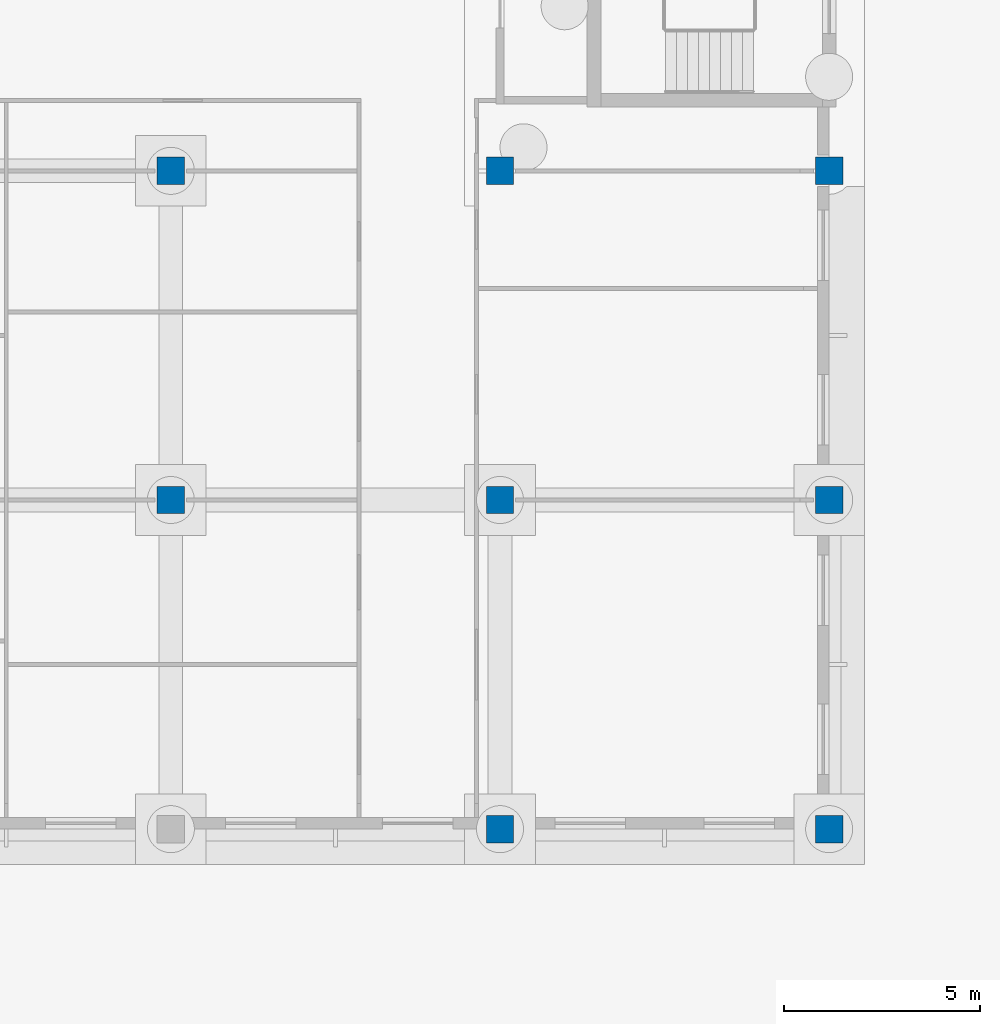
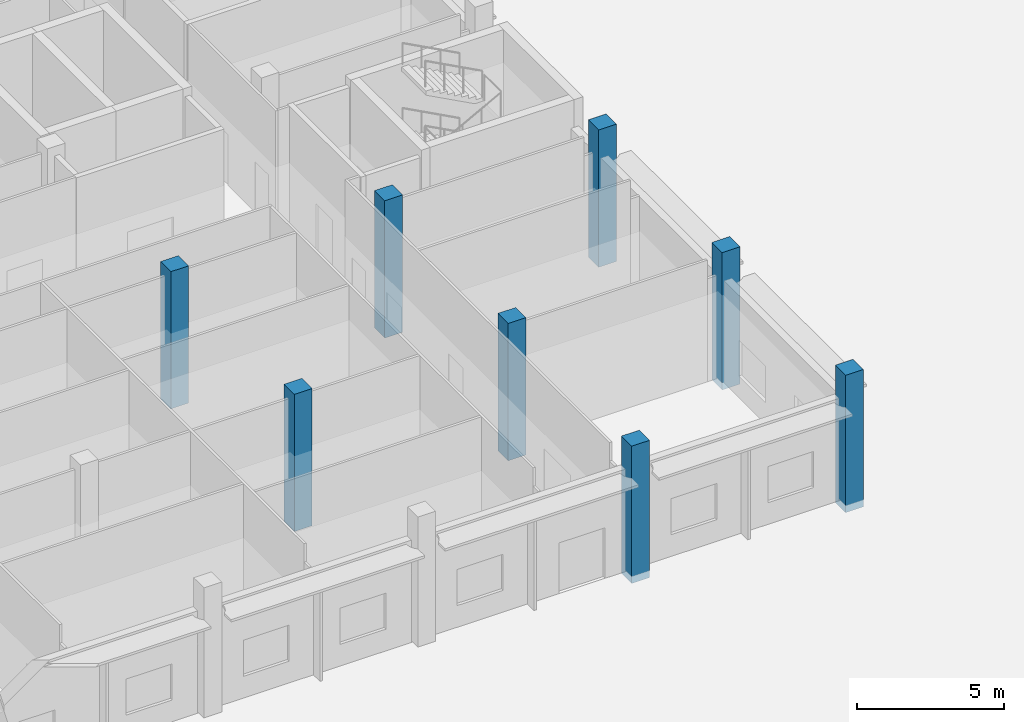
# One storey, part 12 of 146: 8 columns.
"""IFC4 building model written with IfcOpenShell, lengths in metres."""

import ifcopenshell
import ifcopenshell.guid

model = None  # the IFC model being written
_history = None  # IfcOwnerHistory: only IFC2X3 demands one
_inside = {}  # id of a spatial element -> (the spatial element, [elements in it])
_under = {}  # id of a project, library or spatial element -> (it, [spatial elements below it])
_declared = {}  # id of a project -> (the project, [libraries it declares])
_typed = {}  # id of a type object -> (the type object, [elements of that type])
_made_of = {}  # id of a material, layer set ... -> (it, [elements and type objects made of it])


def new_model(schema):
    """Start an empty IFC model of exactly this schema.

    Asked for "IFC4X3", IfcOpenShell would pick the latest addendum, in which some entities
    have other attributes; the version numbers below select the first issue.
    IFC2X3 requires an IfcOwnerHistory on every rooted entity: one is made here for all.
    """
    global model, _history
    if schema == "IFC4X3":
        model = ifcopenshell.file(schema_version=(4, 3, 0, 0))
    else:
        model = ifcopenshell.file(schema=schema)
    _inside.clear()
    _under.clear()
    _declared.clear()
    _typed.clear()
    _made_of.clear()
    _history = None
    if model.schema == "IFC2X3":
        org = make("IfcOrganization", Name="unknown")
        user = make(
            "IfcPersonAndOrganization",
            ThePerson=make("IfcPerson", FamilyName="unknown"),
            TheOrganization=org,
        )
        app = make(
            "IfcApplication",
            ApplicationDeveloper=org,
            Version="unknown",
            ApplicationFullName="unknown",
            ApplicationIdentifier="unknown",
        )
        _history = make(
            "IfcOwnerHistory",
            OwningUser=user,
            OwningApplication=app,
            ChangeAction="ADDED",
            CreationDate=0,
        )
    return model


def make(cls, **values):
    """One entity of the class cls with the attributes given. An attribute that is None is left unset."""
    return model.create_entity(
        cls, **{name: value for name, value in values.items() if value is not None}
    )


def rooted(cls, **values):
    """An entity with a GlobalId (a new one), such as an element, a storey or a relation."""
    return make(cls, GlobalId=ifcopenshell.guid.new(), OwnerHistory=_history, **values)


def si_unit(unit_type, name, prefix=None):
    """IfcSIUnit, for example si_unit("LENGTHUNIT", "METRE", prefix="MILLI")."""
    return make("IfcSIUnit", UnitType=unit_type, Prefix=prefix, Name=name)


def assignment(units):
    """IfcUnitAssignment: the units of a project."""
    return None if units is None else make("IfcUnitAssignment", Units=units)


def point(xyz):
    """IfcCartesianPoint."""
    return None if xyz is None else make("IfcCartesianPoint", Coordinates=xyz)


def direction(xyz):
    """IfcDirection."""
    return None if xyz is None else make("IfcDirection", DirectionRatios=xyz)


def frame(location, z_axis=None, x_axis=None):
    """IfcAxis2Placement3D, a coordinate frame: its origin and axes. An axis left out is left unset."""
    return make(
        "IfcAxis2Placement3D",
        Location=point(location),
        Axis=direction(z_axis),
        RefDirection=direction(x_axis),
    )


def frame_2d(location, x_axis=None):
    """IfcAxis2Placement2D, a coordinate frame in the plane: its origin and x axis."""
    return make(
        "IfcAxis2Placement2D", Location=point(location), RefDirection=direction(x_axis)
    )


def origin():
    """The frame at (0, 0, 0) with its axes left unset."""
    return frame((0.0, 0.0, 0.0))


def origin_2d():
    """The frame at (0, 0) in the plane with its x axis left unset."""
    return frame_2d((0.0, 0.0))


def place(relative_to, where):
    """IfcLocalPlacement: puts the frame where relative to a parent placement (None: the world)."""
    return make(
        "IfcLocalPlacement", PlacementRelTo=relative_to, RelativePlacement=where
    )


def context(
    kind, dimensions, precision=None, world=None, true_north=None, identifier=None
):
    """IfcGeometricRepresentationContext, for example the 3D "Model" context."""
    return make(
        "IfcGeometricRepresentationContext",
        ContextIdentifier=identifier,
        ContextType=kind,
        CoordinateSpaceDimension=dimensions,
        Precision=precision,
        WorldCoordinateSystem=world,
        TrueNorth=true_north,
    )


def subcontext(parent, identifier, kind, view, scale=None):
    """IfcGeometricRepresentationSubContext, for example "Body" below "Model"."""
    return make(
        "IfcGeometricRepresentationSubContext",
        ContextIdentifier=identifier,
        ContextType=kind,
        ParentContext=parent,
        TargetScale=scale,
        TargetView=view,
    )


def project(units=None, contexts=None):
    """IfcProject with its units and contexts."""
    return rooted(
        "IfcProject",
        Name="project",
        RepresentationContexts=contexts,
        UnitsInContext=assignment(units),
    )


def spatial(cls, under=None, at=None, **own):
    """A site, building, storey or space (cls), placed at a placement, below another one or the project."""
    s = rooted(cls, ObjectPlacement=at, **own)
    if under is not None:
        _under.setdefault(under.id(), (under, []))[1].append(s)
    return s


def profile(cls, at=None, kind="AREA", **sizes):
    """A parametric profile (cls). Its sizes go by their IFC names, for example OverallWidth=200.0."""
    return make(cls, ProfileType=kind, Position=at, **sizes)


def rectangle(**sizes):
    """IfcRectangleProfileDef."""
    return profile("IfcRectangleProfileDef", **sizes)


def extrude(swept, where, along, depth):
    """IfcExtrudedAreaSolid: the profile swept, set in the frame where, extruded along a direction by depth."""
    return make(
        "IfcExtrudedAreaSolid",
        SweptArea=swept,
        Position=where,
        ExtrudedDirection=direction(along),
        Depth=depth,
    )


def shape(context_of_items, identifier, shape_type, items):
    """IfcShapeRepresentation: the items that make up one representation, for example the "Body"."""
    return make(
        "IfcShapeRepresentation",
        ContextOfItems=context_of_items,
        RepresentationIdentifier=identifier,
        RepresentationType=shape_type,
        Items=items,
    )


def material(Name=None, Category=None):
    """IfcMaterial."""
    return make("IfcMaterial", Name=Name, Category=Category)


def material_profile(
    of_material, cross_section, Name=None, Category=None, Priority=None
):
    """IfcMaterialProfile: a cross section and its material."""
    return make(
        "IfcMaterialProfile",
        Name=Name,
        Material=of_material,
        Profile=cross_section,
        Priority=Priority,
        Category=Category,
    )


def profile_set(profiles, Name=None, composite=None):
    """IfcMaterialProfileSet."""
    return make(
        "IfcMaterialProfileSet",
        Name=Name,
        MaterialProfiles=profiles,
        CompositeProfile=composite,
    )


def made_of(thing, what):
    """Note that an element or type object is made of a material, layer set ...; save() writes the relation."""
    if what is not None:
        _made_of.setdefault(what.id(), (what, []))[1].append(thing)
    return thing


def type_object(cls, material=None, **own):
    """A type object (cls), such as IfcWallType, which elements share."""
    return made_of(rooted(cls, **own), material)


def element(
    cls,
    number,
    at=None,
    inside=None,
    cuts=None,
    type_object=None,
    material=None,
    context=None,
    identifier="Body",
    shape_type=None,
    held_by="IfcProductDefinitionShape",
    body=None,
    shapes=None,
    **own,
):
    """One element of the class cls, such as IfcWall. Its Tag is "e" and its number.

    at: its placement. inside: the storey or other place that contains it. cuts: it is an
    opening in that element (IfcRelVoidsElement). A single representation is given by context,
    identifier, shape_type and body (its items); several are given by shapes. held_by: the class
    of the entity that holds the representations. save() writes the other relations.
    """
    e = rooted(cls, Tag="e%d" % number, ObjectPlacement=at, **own)
    if body is not None:
        shapes = [shape(context, identifier, shape_type, body)]
    if shapes is not None:
        e.Representation = make(held_by, Representations=shapes)
    if inside is not None:
        _inside.setdefault(inside.id(), (inside, []))[1].append(e)
    if cuts is not None:
        rooted(
            "IfcRelVoidsElement", RelatingBuildingElement=cuts, RelatedOpeningElement=e
        )
    if type_object is not None:
        _typed.setdefault(type_object.id(), (type_object, []))[1].append(e)
    return made_of(e, material)


def aggregate(whole, parts):
    """IfcRelAggregates: a whole, such as a stair, and the parts it consists of."""
    return rooted("IfcRelAggregates", RelatingObject=whole, RelatedObjects=parts)


def save(model, path):
    """Write the relations noted so far, then the file.

    IfcRelAggregates (storeys below a building ...), IfcRelContainedInSpatialStructure (elements
    in a storey), IfcRelDefinesByType, IfcRelAssociatesMaterial and IfcRelDeclares: one each for
    every whole, place, type object, material and project.
    """
    for whole, parts in _under.values():
        aggregate(whole, parts)
    for where, things in _inside.values():
        rooted(
            "IfcRelContainedInSpatialStructure",
            RelatedElements=things,
            RelatingStructure=where,
        )
    for kind, things in _typed.values():
        rooted("IfcRelDefinesByType", RelatedObjects=things, RelatingType=kind)
    for what, things in _made_of.values():
        rooted("IfcRelAssociatesMaterial", RelatedObjects=things, RelatingMaterial=what)
    for by, libraries in _declared.values():
        rooted("IfcRelDeclares", RelatingContext=by, RelatedDefinitions=libraries)
    model.write(path)


model = new_model("IFC4")

# Units and contexts
model_context = context("Model", 3, precision=1e-05, world=origin(), true_north=direction((0.0, 1.0)))
body_context = subcontext(model_context, "Body", "Model", "MODEL_VIEW")
ifc_project = project(units=[si_unit("LENGTHUNIT", "METRE"), si_unit("AREAUNIT", "SQUARE_METRE"), si_unit("VOLUMEUNIT", "CUBIC_METRE"), si_unit("PLANEANGLEUNIT", "RADIAN"), si_unit("MASSUNIT", "GRAM", prefix="KILO")], contexts=[model_context])

# Site, building, storey
site_placement = place(None, origin())
site = spatial("IfcSite", under=ifc_project, at=site_placement, CompositionType="ELEMENT")
building_placement = place(site_placement, origin())
building = spatial("IfcBuilding", under=site, at=building_placement, Name="Bougainvillea Quay General Hospital", CompositionType="ELEMENT")
storey_placement = place(building_placement, origin())
storey = spatial("IfcBuildingStorey", under=building, at=storey_placement, Name="L00", CompositionType="ELEMENT", Elevation=0.0)

# Columns
ifc_material = material(Name="Concrete C50", Category="concrete")
ifc_material_profile = material_profile(ifc_material, rectangle(XDim=0.699951171875, YDim=0.699951171875, at=origin_2d()))
ifc_profile_set = profile_set([ifc_material_profile], Name="Concrete C50")
column_type = type_object("IfcColumnType", Name="RC COL 700x700 C50", PredefinedType="COLUMN", material=ifc_profile_set)
for number, where, z_axis, x_axis, name in (
    (1, (33.60009765625, 42.0, -0.300048828125), (0.0, 0.0, 1.0), (1.0, 0.0, 0.0), "Column C-V2-31 L00"),
    (2, (33.60009765625, 50.39990234375, -0.300048828125), (0.0, 0.0, 1.0), (1.0, 0.0, 0.0), "Column C-V2-32 L00"),
    (3, (42.0, 33.60009765625, -0.300048828125), (0.0, 0.0, 1.0), (1.0, 0.0, 0.0), "Column C-V2-40 L00"),
    (4, (42.0, 42.0, -0.300048828125), (0.0, 0.0, 1.0), (1.0, 0.0, 0.0), "Column C-V2-41 L00"),
    (5, (42.0, 50.39990234375, -0.300048828125), (0.0, 0.0, 1.0), (1.0, 0.0, 0.0), "Column C-V2-42 L00"),
    (6, (50.39990234375, 33.60009765625, -0.300048828125), (0.0, 0.0, 1.0), (1.0, 0.0, 0.0), "Column C-V2-50 L00"),
    (7, (50.39990234375, 42.0, -0.300048828125), (0.0, 0.0, 1.0), (1.0, 0.0, 0.0), "Column C-V2-51 L00"),
    (8, (50.39990234375, 50.39990234375, -0.300048828125), (0.0, 0.0, 1.0), (1.0, 0.0, 0.0), "Column C-V2-52 L00"),
):
    element("IfcColumn", number, at=place(storey_placement, frame(where, z_axis=z_axis, x_axis=x_axis)), inside=storey, type_object=column_type, Name=name, PredefinedType="COLUMN", context=body_context, shape_type="SweptSolid", body=[
        extrude(rectangle(XDim=0.699951171875, YDim=0.699951171875, at=origin_2d()), origin(), (0.0, 0.0, 1.0), 5.699951171875),
    ])

save(model, "model.ifc")
